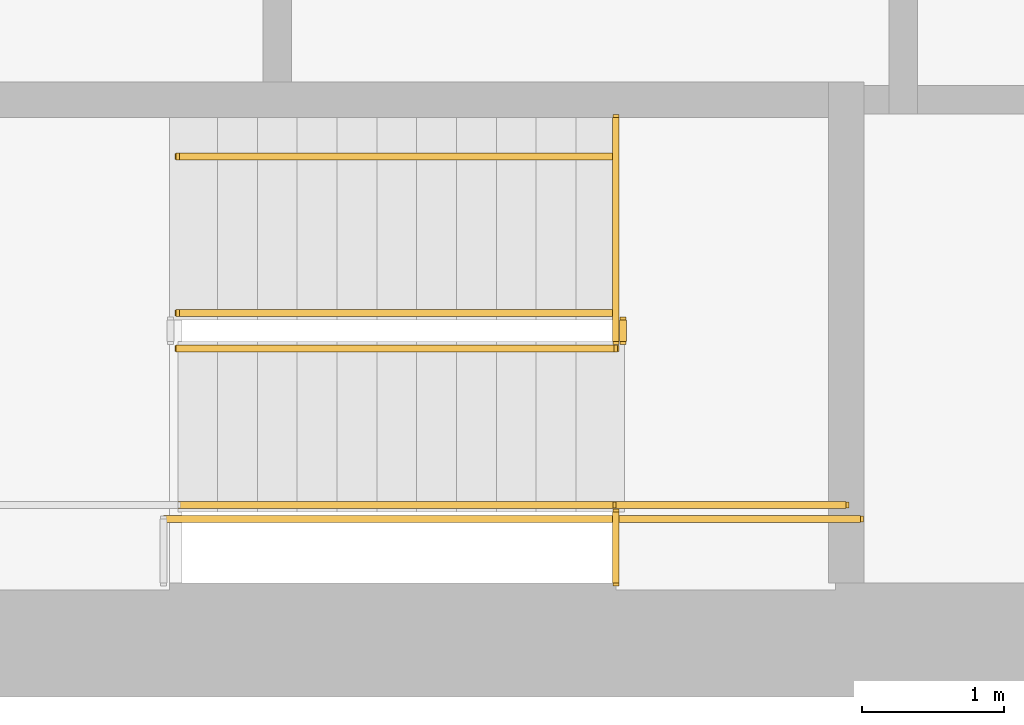
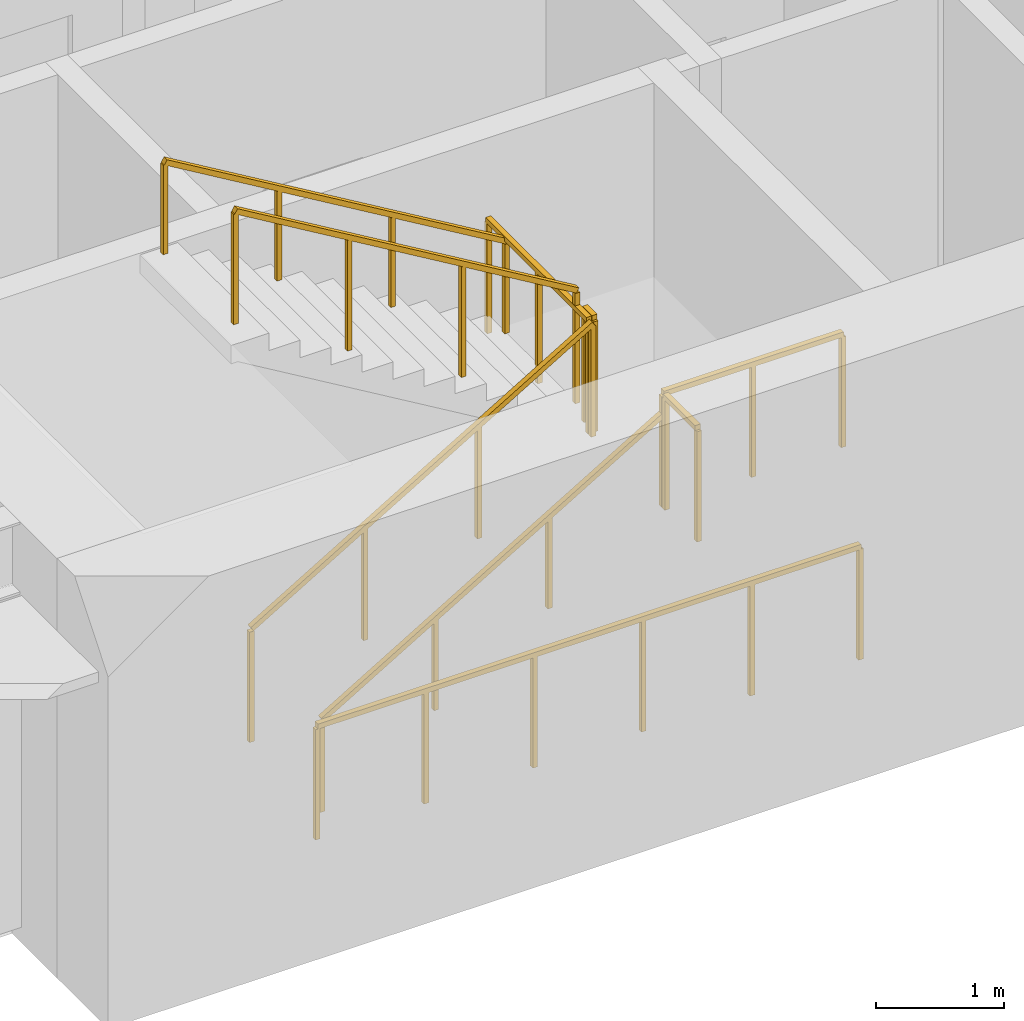
# One storey, part 10 of 12: 9 railings.
"""IFC4 building model written with IfcOpenShell, lengths in metres."""

from ifc_helpers import new_model, si_unit, direction, frame, origin, origin_2d, place, context, subcontext, project, spatial, rectangle, extrude, material, type_object, element, save


model = new_model("IFC4")

# Units and contexts
model_context = context("Model", 3, precision=1e-05, world=origin(), true_north=direction((0.0, 1.0)))
body_context = subcontext(model_context, "Body", "Model", "MODEL_VIEW")
ifc_project = project(units=[si_unit("LENGTHUNIT", "METRE"), si_unit("AREAUNIT", "SQUARE_METRE"), si_unit("VOLUMEUNIT", "CUBIC_METRE"), si_unit("PLANEANGLEUNIT", "RADIAN"), si_unit("MASSUNIT", "GRAM", prefix="KILO")], contexts=[model_context])

# Site, building, storey
site_placement = place(None, origin())
site = spatial("IfcSite", under=ifc_project, at=site_placement, CompositionType="ELEMENT")
building_placement = place(site_placement, origin())
building = spatial("IfcBuilding", under=site, at=building_placement, Name="Sennacour Bend Tower", CompositionType="ELEMENT")
storey_placement = place(building_placement, frame((0.0, 0.0, 265.0)))
storey = spatial("IfcBuildingStorey", under=building, at=storey_placement, Name="L61", CompositionType="ELEMENT", Elevation=265.0)

# Railings
ifc_material = material(Name="Stainless steel", Category="steel")
railing_type_1 = type_object("IfcRailingType", Name="RL-GUARD-1100", PredefinedType="GUARDRAIL", material=ifc_material)
railing_1_placement = place(storey_placement, frame((56.699951171875, 2.449951171875, 0.166748046875)))
element("IfcRailing", 1, at=railing_1_placement, inside=storey, type_object=railing_type_1, Name="L61 SA1 stair guard 1", PredefinedType="GUARDRAIL", context=body_context, shape_type="SweptSolid", body=[
    extrude(rectangle(XDim=0.048095703125, YDim=0.048095703125, at=origin_2d()), frame((0.0, 0.0, 1.076171875), z_axis=(0.859308565015, 0.0, 0.511457515432), x_axis=(0.0, 1.0, 0.0)), (0.0, 0.0, 1.0), 3.58447265625),
    extrude(rectangle(XDim=0.0419921875, YDim=0.0419921875, at=origin_2d()), origin(), (0.0, 0.0, 1.0), 1.052001953125),
    extrude(rectangle(XDim=0.0419921875, YDim=0.0419921875, at=origin_2d()), frame((1.026611328125, 0.0, 0.611083984375)), (0.0, 0.0, 1.0), 1.052001953125),
    extrude(rectangle(XDim=0.0419921875, YDim=0.0419921875, at=origin_2d()), frame((2.053466796875, 0.0, 1.22216796875)), (0.0, 0.0, 1.0), 1.052001953125),
    extrude(rectangle(XDim=0.0419921875, YDim=0.0419921875, at=origin_2d()), frame((3.080078125, 0.0, 1.833251953125)), (0.0, 0.0, 1.0), 1.052001953125),
])
railing_2_placement = place(storey_placement, frame((59.830078125, 2.5, 2.0)))
element("IfcRailing", 2, at=railing_2_placement, inside=storey, type_object=railing_type_1, Name="L61 SA1 stair guard 2", PredefinedType="GUARDRAIL", context=body_context, shape_type="SweptSolid", body=[
    extrude(rectangle(XDim=0.048095703125, YDim=0.048095703125, at=origin_2d()), frame((0.0, 0.0, 1.076171875), z_axis=(0.0, 1.0, 0.0), x_axis=(-1.0, 0.0, 0.0)), (0.0, 0.0, 1.0), 0.14990234375),
    extrude(rectangle(XDim=0.0419921875, YDim=0.0419921875, at=origin_2d()), origin(), (0.0, 0.0, 1.0), 1.052001953125),
    extrude(rectangle(XDim=0.0419921875, YDim=0.0419921875, at=origin_2d()), frame((0.0, 0.14990234375, 0.0)), (0.0, 0.0, 1.0), 1.052001953125),
])
railing_3_placement = place(storey_placement, frame((59.780029296875, 1.35009765625, 2.0)))
element("IfcRailing", 3, at=railing_3_placement, inside=storey, type_object=railing_type_1, Name="L61 SA1 stair guard 3", PredefinedType="GUARDRAIL", context=body_context, shape_type="SweptSolid", body=[
    extrude(rectangle(XDim=0.048095703125, YDim=0.048095703125, at=origin_2d()), frame((0.0, 0.0, 1.076171875), z_axis=(1.0, 0.0, 0.0), x_axis=(0.0, 1.0, 0.0)), (0.0, 0.0, 1.0), 1.619873046875),
    extrude(rectangle(XDim=0.0419921875, YDim=0.0419921875, at=origin_2d()), origin(), (0.0, 0.0, 1.0), 1.052001953125),
    extrude(rectangle(XDim=0.0419921875, YDim=0.0419921875, at=origin_2d()), frame((0.81005859375, 0.0, 0.0)), (0.0, 0.0, 1.0), 1.052001953125),
    extrude(rectangle(XDim=0.0419921875, YDim=0.0419921875, at=origin_2d()), frame((1.619873046875, 0.0, 0.0)), (0.0, 0.0, 1.0), 1.052001953125),
])
railing_4_placement = place(storey_placement, frame((59.780029296875, 2.699951171875, 2.166748046875)))
element("IfcRailing", 4, at=railing_4_placement, inside=storey, type_object=railing_type_1, Name="L61 SA1 stair guard 4", PredefinedType="GUARDRAIL", context=body_context, shape_type="SweptSolid", body=[
    extrude(rectangle(XDim=0.048095703125, YDim=0.048095703125, at=origin_2d()), frame((0.0, 0.0, 1.076171875), z_axis=(-0.859308565015, 0.0, 0.511457515432), x_axis=(0.0, -1.0, 0.0)), (0.0, 0.0, 1.0), 3.58447265625),
    extrude(rectangle(XDim=0.0419921875, YDim=0.0419921875, at=origin_2d()), origin(), (0.0, 0.0, 1.0), 1.052001953125),
    extrude(rectangle(XDim=0.0419921875, YDim=0.0419921875, at=origin_2d()), frame((-1.026611328125, 0.0, 0.611083984375)), (0.0, 0.0, 1.0), 1.052001953125),
    extrude(rectangle(XDim=0.0419921875, YDim=0.0419921875, at=origin_2d()), frame((-2.053466796875, 0.0, 1.22216796875)), (0.0, 0.0, 1.0), 1.052001953125),
    extrude(rectangle(XDim=0.0419921875, YDim=0.0419921875, at=origin_2d()), frame((-3.080078125, 0.0, 1.833251953125)), (0.0, 0.0, 1.0), 1.052001953125),
])
railing_5_placement = place(storey_placement, frame((56.60009765625, 1.25, 0.0)))
element("IfcRailing", 5, at=railing_5_placement, inside=storey, type_object=railing_type_1, Name="L61 SA1 stair guard 8", PredefinedType="GUARDRAIL", context=body_context, shape_type="SweptSolid", body=[
    extrude(rectangle(XDim=0.048095703125, YDim=0.048095703125, at=origin_2d()), frame((0.0, 0.0, 1.076171875), z_axis=(1.0, 0.0, 0.0), x_axis=(0.0, 1.0, 0.0)), (0.0, 0.0, 1.0), 4.89990234375),
    extrude(rectangle(XDim=0.0419921875, YDim=0.0419921875, at=origin_2d()), origin(), (0.0, 0.0, 1.0), 1.052001953125),
    extrude(rectangle(XDim=0.0419921875, YDim=0.0419921875, at=origin_2d()), frame((0.97998046875, 0.0, 0.0)), (0.0, 0.0, 1.0), 1.052001953125),
    extrude(rectangle(XDim=0.0419921875, YDim=0.0419921875, at=origin_2d()), frame((1.9599609375, 0.0, 0.0)), (0.0, 0.0, 1.0), 1.052001953125),
    extrude(rectangle(XDim=0.0419921875, YDim=0.0419921875, at=origin_2d()), frame((2.93994140625, 0.0, 0.0)), (0.0, 0.0, 1.0), 1.052001953125),
    extrude(rectangle(XDim=0.0419921875, YDim=0.0419921875, at=origin_2d()), frame((3.919921875, 0.0, 0.0)), (0.0, 0.0, 1.0), 1.052001953125),
    extrude(rectangle(XDim=0.0419921875, YDim=0.0419921875, at=origin_2d()), frame((4.89990234375, 0.0, 0.0)), (0.0, 0.0, 1.0), 1.052001953125),
])
railing_6_placement = place(storey_placement, frame((59.780029296875, 0.800048828125, 2.0)))
element("IfcRailing", 6, at=railing_6_placement, inside=storey, type_object=railing_type_1, Name="L61 SA1 landing edge guard 92", PredefinedType="GUARDRAIL", context=body_context, shape_type="SweptSolid", body=[
    extrude(rectangle(XDim=0.048095703125, YDim=0.048095703125, at=origin_2d()), frame((0.0, 0.0, 1.076171875), z_axis=(0.0, 1.0, 0.0), x_axis=(-1.0, 0.0, 0.0)), (0.0, 0.0, 1.0), 0.5),
    extrude(rectangle(XDim=0.0419921875, YDim=0.0419921875, at=origin_2d()), origin(), (0.0, 0.0, 1.0), 1.052001953125),
    extrude(rectangle(XDim=0.0419921875, YDim=0.0419921875, at=origin_2d()), frame((0.0, 0.5, 0.0)), (0.0, 0.0, 1.0), 1.052001953125),
])
railing_7_placement = place(storey_placement, frame((59.780029296875, 2.5, 2.0)))
element("IfcRailing", 7, at=railing_7_placement, inside=storey, type_object=railing_type_1, Name="L61 SA1 landing edge guard 93", PredefinedType="GUARDRAIL", context=body_context, shape_type="SweptSolid", body=[
    extrude(rectangle(XDim=0.048095703125, YDim=0.048095703125, at=origin_2d()), frame((0.0, 0.0, 1.076171875), z_axis=(0.0, 1.0, 0.0), x_axis=(-1.0, 0.0, 0.0)), (0.0, 0.0, 1.0), 1.574951171875),
    extrude(rectangle(XDim=0.0419921875, YDim=0.0419921875, at=origin_2d()), origin(), (0.0, 0.0, 1.0), 1.052001953125),
    extrude(rectangle(XDim=0.0419921875, YDim=0.0419921875, at=origin_2d()), frame((0.0, 0.78759765625, 0.0)), (0.0, 0.0, 1.0), 1.052001953125),
    extrude(rectangle(XDim=0.0419921875, YDim=0.0419921875, at=origin_2d()), frame((0.0, 1.574951171875, 0.0)), (0.0, 0.0, 1.0), 1.052001953125),
])
railing_type_2 = type_object("IfcRailingType", Name="RL-HANDRAIL-900", PredefinedType="HANDRAIL", material=ifc_material)
railing_8_placement = place(storey_placement, frame((56.699951171875, 1.35009765625, 0.166748046875)))
element("IfcRailing", 8, at=railing_8_placement, inside=storey, type_object=railing_type_2, Name="L61 SA1 stair handrail 1", PredefinedType="HANDRAIL", context=body_context, shape_type="SweptSolid", body=[
    extrude(rectangle(XDim=0.048095703125, YDim=0.048095703125, at=origin_2d()), frame((0.0, 0.0, 0.8759765625), z_axis=(0.859308565015, 0.0, 0.511457515432), x_axis=(0.0, 1.0, 0.0)), (0.0, 0.0, 1.0), 3.58447265625),
    extrude(rectangle(XDim=0.0419921875, YDim=0.0419921875, at=origin_2d()), origin(), (0.0, 0.0, 1.0), 0.851806640625),
    extrude(rectangle(XDim=0.0419921875, YDim=0.0419921875, at=origin_2d()), frame((1.026611328125, 0.0, 0.611083984375)), (0.0, 0.0, 1.0), 0.851806640625),
    extrude(rectangle(XDim=0.0419921875, YDim=0.0419921875, at=origin_2d()), frame((2.053466796875, 0.0, 1.22216796875)), (0.0, 0.0, 1.0), 0.851806640625),
    extrude(rectangle(XDim=0.0419921875, YDim=0.0419921875, at=origin_2d()), frame((3.080078125, 0.0, 1.833251953125)), (0.0, 0.0, 1.0), 0.851806640625),
])
railing_9_placement = place(storey_placement, frame((59.780029296875, 3.800048828125, 2.166748046875)))
element("IfcRailing", 9, at=railing_9_placement, inside=storey, type_object=railing_type_2, Name="L61 SA1 stair handrail 2", PredefinedType="HANDRAIL", context=body_context, shape_type="SweptSolid", body=[
    extrude(rectangle(XDim=0.048095703125, YDim=0.048095703125, at=origin_2d()), frame((0.0, 0.0, 0.8759765625), z_axis=(-0.859308565015, 0.0, 0.511457515432), x_axis=(0.0, -1.0, 0.0)), (0.0, 0.0, 1.0), 3.58447265625),
    extrude(rectangle(XDim=0.0419921875, YDim=0.0419921875, at=origin_2d()), origin(), (0.0, 0.0, 1.0), 0.851806640625),
    extrude(rectangle(XDim=0.0419921875, YDim=0.0419921875, at=origin_2d()), frame((-1.026611328125, 0.0, 0.611083984375)), (0.0, 0.0, 1.0), 0.851806640625),
    extrude(rectangle(XDim=0.0419921875, YDim=0.0419921875, at=origin_2d()), frame((-2.053466796875, 0.0, 1.22216796875)), (0.0, 0.0, 1.0), 0.851806640625),
    extrude(rectangle(XDim=0.0419921875, YDim=0.0419921875, at=origin_2d()), frame((-3.080078125, 0.0, 1.833251953125)), (0.0, 0.0, 1.0), 0.851806640625),
])

save(model, "model.ifc")
